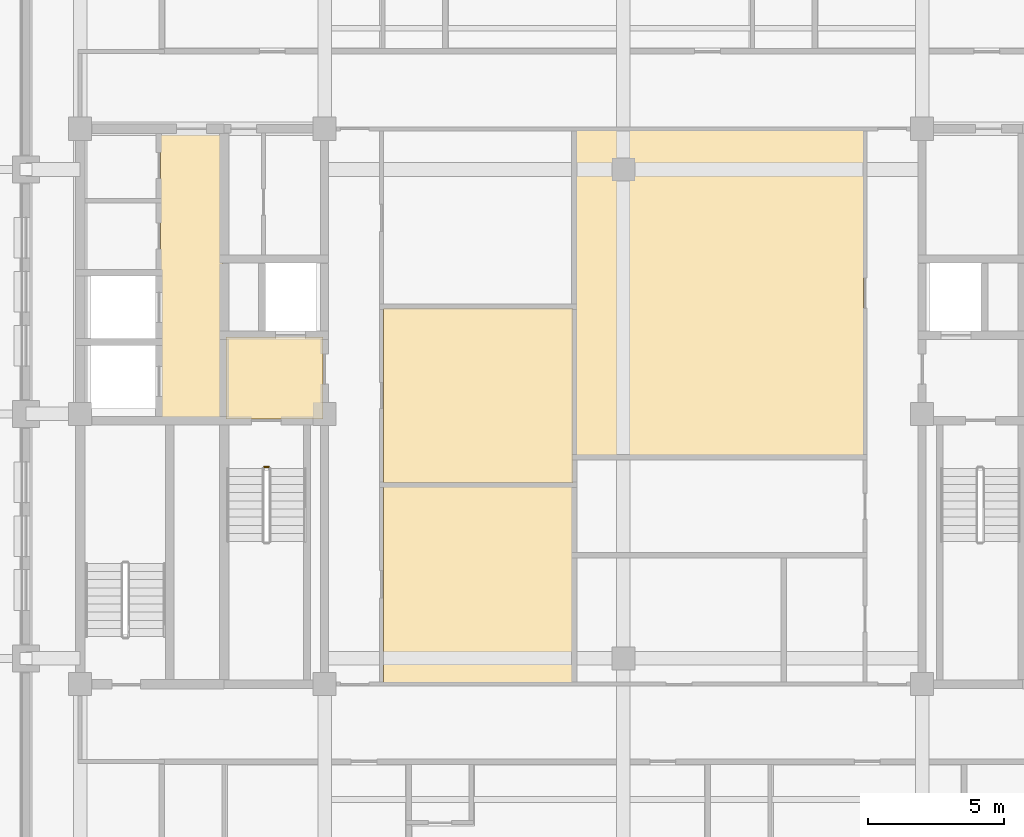
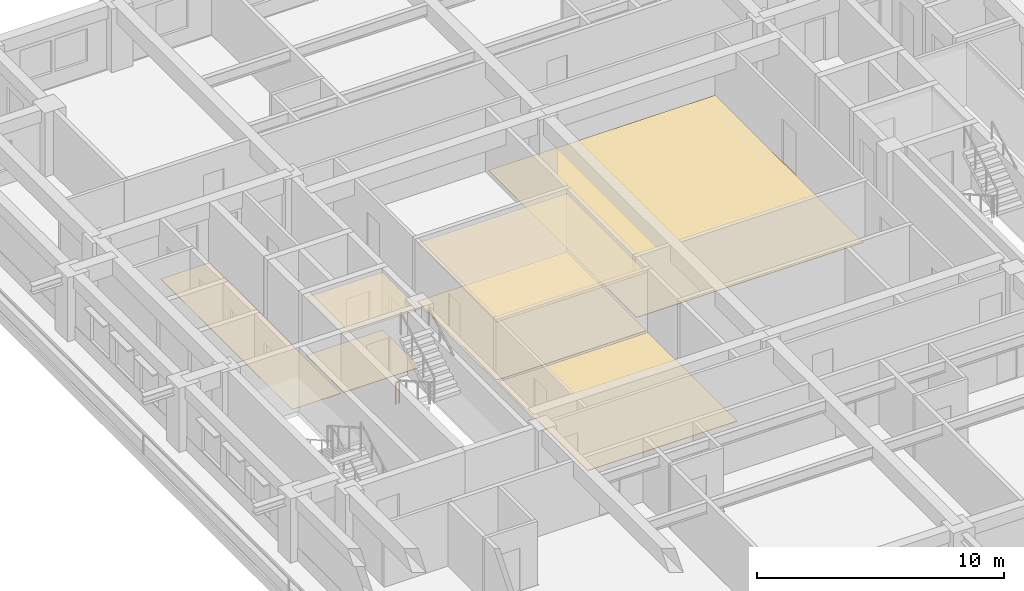
# One storey, part 11 of 13: 7 coverings, 1 railing.
"""IFC4 building model written with IfcOpenShell, lengths in metres."""

from ifc_helpers import new_model, si_unit, direction, frame, origin, origin_2d, place, context, subcontext, project, spatial, polyline, rectangle, outline, extrude, material, layer, layer_set, type_object, element, save


model = new_model("IFC4")

# Units and contexts
model_context = context("Model", 3, precision=1e-05, world=origin(), true_north=direction((0.0, 1.0)))
body_context = subcontext(model_context, "Body", "Model", "MODEL_VIEW")
ifc_project = project(units=[si_unit("LENGTHUNIT", "METRE"), si_unit("AREAUNIT", "SQUARE_METRE"), si_unit("VOLUMEUNIT", "CUBIC_METRE"), si_unit("PLANEANGLEUNIT", "RADIAN"), si_unit("MASSUNIT", "GRAM", prefix="KILO")], contexts=[model_context])

# Site, building, storey
site_placement = place(None, origin())
site = spatial("IfcSite", under=ifc_project, at=site_placement, CompositionType="ELEMENT")
building_placement = place(site_placement, origin())
building = spatial("IfcBuilding", under=site, at=building_placement, Name="Zulmaris Gate Convention Tower", CompositionType="ELEMENT")
storey_placement = place(building_placement, frame((0.0, 0.0, 169.4599609375)))
storey = spatial("IfcBuildingStorey", under=building, at=storey_placement, Name="L43", CompositionType="ELEMENT", Elevation=169.4599609375)

# Coverings
ifc_material_1 = material(Name="Mineral Fibre Acoustic Ceiling Tile")
ifc_layer_1 = layer(ifc_material_1, 0.02001953125, Name="Mineral Fibre Acoustic Ceiling Tile")
ifc_layer_set_1 = layer_set([ifc_layer_1], Name="Mineral Fibre Acoustic Ceiling Tile")
covering_type_1 = type_object("IfcCoveringType", Name="CLG-ACOUSTIC-600", PredefinedType="CEILING", material=ifc_layer_set_1)
covering_1_placement = place(storey_placement, frame((0.0, 0.0, 2.869873046875)))
element("IfcCovering", 1, at=covering_1_placement, inside=storey, type_object=covering_type_1, Name="CLG-L43-R03", PredefinedType="CEILING", context=body_context, shape_type="SweptSolid", body=[
    extrude(outline(polyline([(-14.639892578125, -0.18994140625), (-11.06005859375, -0.18994140625), (-11.06005859375, 2.840087890625), (-14.639892578125, 2.840087890625), (-14.639892578125, -0.18994140625)])), origin(), (0.0, 0.0, 1.0), 0.02001953125),
])
ifc_material_2 = material(Name="Moisture-Resistant Gypsum Board")
ifc_layer_2 = layer(ifc_material_2, 0.02001953125, Name="Moisture-Resistant Gypsum Board")
ifc_layer_set_2 = layer_set([ifc_layer_2], Name="Moisture-Resistant Gypsum Board")
covering_type_2 = type_object("IfcCoveringType", Name="CLG-GYPSUM-FLUSH", PredefinedType="CEILING", material=ifc_layer_set_2)
covering_2_placement = place(storey_placement, frame((0.0, 0.0, 2.869873046875)))
element("IfcCovering", 2, at=covering_2_placement, inside=storey, type_object=covering_type_2, Name="CLG-L43-R46", PredefinedType="CEILING", context=body_context, shape_type="SweptSolid", body=[
    extrude(outline(polyline([(-8.840087890625, -2.5400390625), (-1.860107421875, -2.5400390625), (-1.860107421875, 3.889892578125), (-8.840087890625, 3.889892578125), (-8.840087890625, -2.5400390625)])), origin(), (0.0, 0.0, 1.0), 0.02001953125),
])
ifc_material_3 = material(Name="Woven Acoustic Wool Carpet Tile")
ifc_layer_3 = layer(ifc_material_3, 0.02001953125, Name="Woven Acoustic Wool Carpet Tile")
ifc_layer_set_3 = layer_set([ifc_layer_3], Name="Woven Acoustic Wool Carpet Tile")
covering_type_3 = type_object("IfcCoveringType", Name="FLR-CARPET-12", PredefinedType="FLOORING", material=ifc_layer_set_3)
covering_3_placement = place(storey_placement, origin())
element("IfcCovering", 3, at=covering_3_placement, inside=storey, type_object=covering_type_3, Name="FLR-L43-R03", PredefinedType="FLOORING", context=body_context, shape_type="SweptSolid", body=[
    extrude(outline(polyline([(-14.639892578125, -0.18994140625), (-11.06005859375, -0.18994140625), (-11.06005859375, 2.840087890625), (-14.639892578125, 2.840087890625), (-14.639892578125, -0.18994140625)])), origin(), (0.0, 0.0, 1.0), 0.02001953125),
])
covering_4_placement = place(storey_placement, origin())
element("IfcCovering", 4, at=covering_4_placement, inside=storey, type_object=covering_type_3, Name="FLR-L43-R18", PredefinedType="FLOORING", context=body_context, shape_type="SweptSolid", body=[
    extrude(outline(polyline([(-17.0400390625, -0.18994140625), (-14.760009765625, -0.18994140625), (-14.760009765625, 10.43994140625), (-17.0400390625, 10.43994140625), (-17.0400390625, -0.18994140625)])), origin(), (0.0, 0.0, 1.0), 0.02001953125),
])
covering_5_placement = place(storey_placement, origin())
element("IfcCovering", 5, at=covering_5_placement, inside=storey, type_object=covering_type_3, Name="FLR-L43-R47", PredefinedType="FLOORING", context=body_context, shape_type="SweptSolid", body=[
    extrude(outline(polyline([(-8.840087890625, -9.889892578125), (-1.860107421875, -9.889892578125), (-1.860107421875, -2.659912109375), (-8.840087890625, -2.659912109375), (-8.840087890625, -9.889892578125)])), origin(), (0.0, 0.0, 1.0), 0.02001953125),
])
ifc_material_4 = material(Name="Polished Granite Terrazzo Tile", Category="masonry")
ifc_layer_4 = layer(ifc_material_4, 0.02001953125, Name="Polished Granite Terrazzo Tile")
ifc_layer_set_4 = layer_set([ifc_layer_4], Name="Polished Granite Terrazzo Tile")
covering_type_4 = type_object("IfcCoveringType", Name="FLR-TERRAZZO-30", PredefinedType="FLOORING", material=ifc_layer_set_4)
covering_6_placement = place(storey_placement, origin())
element("IfcCovering", 6, at=covering_6_placement, inside=storey, type_object=covering_type_4, Name="FLR-L43-R46", PredefinedType="FLOORING", context=body_context, shape_type="SweptSolid", body=[
    extrude(outline(polyline([(-8.840087890625, -2.5400390625), (-1.860107421875, -2.5400390625), (-1.860107421875, 3.889892578125), (-8.840087890625, 3.889892578125), (-8.840087890625, -2.5400390625)])), origin(), (0.0, 0.0, 1.0), 0.02001953125),
])
ifc_material_5 = material(Name="Engineered Teak Parquet Flooring")
ifc_layer_5 = layer(ifc_material_5, 0.02001953125, Name="Engineered Teak Parquet Flooring")
ifc_layer_set_5 = layer_set([ifc_layer_5], Name="Engineered Teak Parquet Flooring")
covering_type_5 = type_object("IfcCoveringType", Name="FLR-TIMBER-18", PredefinedType="FLOORING", material=ifc_layer_set_5)
covering_7_placement = place(storey_placement, origin())
element("IfcCovering", 7, at=covering_7_placement, inside=storey, type_object=covering_type_5, Name="FLR-L43-R48", PredefinedType="FLOORING", context=body_context, shape_type="SweptSolid", body=[
    extrude(outline(polyline([(-1.739990234375, -1.5400390625), (8.840087890625, -1.5400390625), (8.840087890625, 10.43994140625), (-1.739990234375, 10.43994140625), (-1.739990234375, -1.5400390625)])), origin(), (0.0, 0.0, 1.0), 0.02001953125),
])

# Railing
ifc_material_6 = material(Name="Painted Galvanised Steel", Category="steel")
railing_type = type_object("IfcRailingType", Name="RL-STG-1150", PredefinedType="GUARDRAIL", material=ifc_material_6)
railing_placement = place(storey_placement, frame((-13.219970703125, -1.949951171875, 0.0)))
element("IfcRailing", 8, at=railing_placement, inside=storey, type_object=railing_type, Name="L43 ST-1 stair guard 4", PredefinedType="GUARDRAIL", context=body_context, shape_type="SweptSolid", body=[
    extrude(rectangle(XDim=0.048095703125, YDim=0.048095703125, at=origin_2d()), frame((0.0, 0.0, 1.076171875), z_axis=(1.0, 0.0, 0.0), x_axis=(0.0, 1.0, 0.0)), (0.0, 0.0, 1.0), 0.159912109375),
    extrude(rectangle(XDim=0.0419921875, YDim=0.0419921875, at=origin_2d()), origin(), (0.0, 0.0, 1.0), 1.052001953125),
    extrude(rectangle(XDim=0.0419921875, YDim=0.0419921875, at=origin_2d()), frame((0.159912109375, 0.0, 0.0)), (0.0, 0.0, 1.0), 1.052001953125),
])

save(model, "model.ifc")
